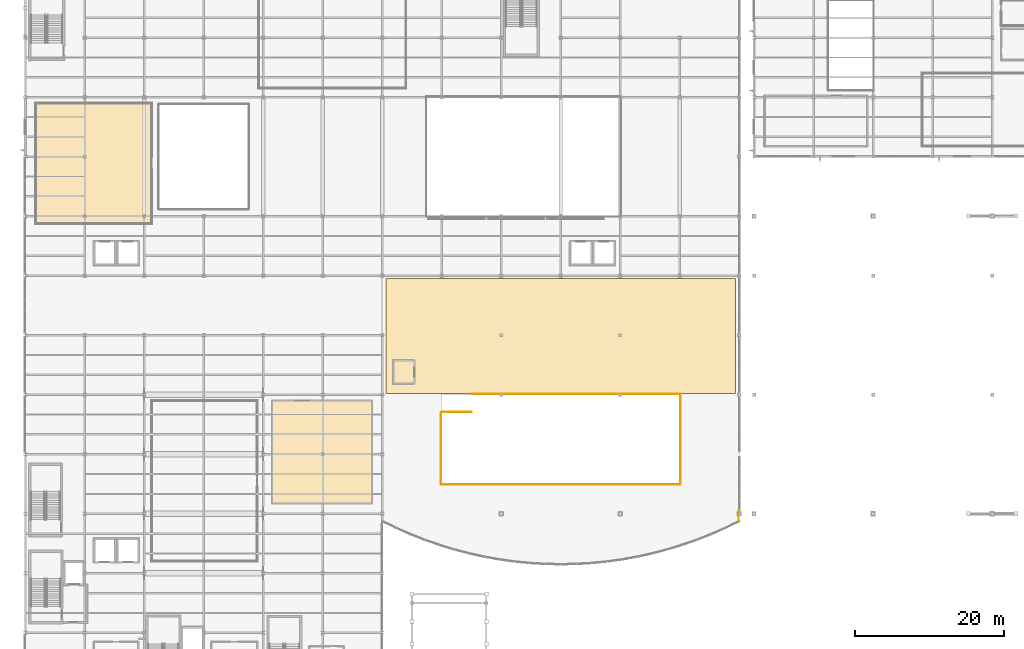
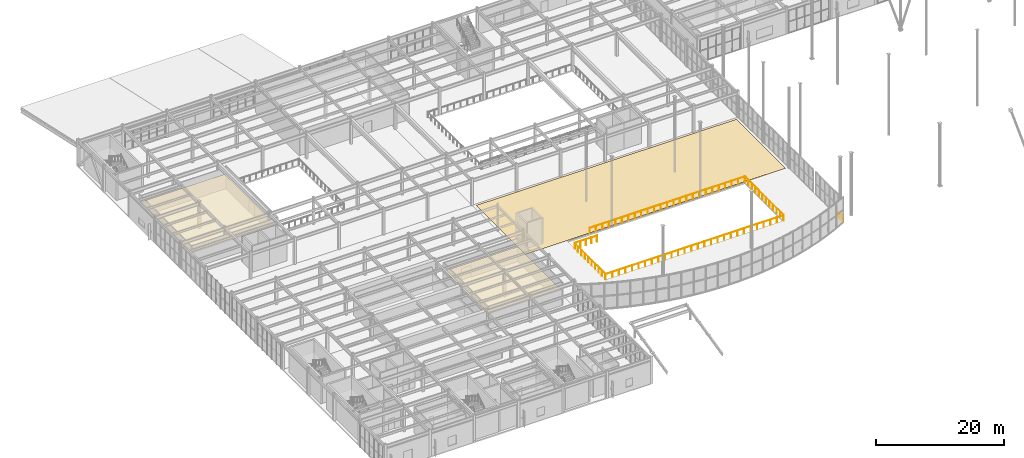
# One storey, part 70 of 77: 6 railings, 3 coverings.
"""IFC4 building model written with IfcOpenShell, lengths in metres."""

from ifc_helpers import new_model, si_unit, direction, frame, origin, origin_2d, place, context, subcontext, project, spatial, polyline, circle, outline, extrude, material, layer, layer_set, type_object, element, save


model = new_model("IFC4")

# Units and contexts
model_context = context("Model", 3, precision=1e-05, world=origin(), true_north=direction((0.0, 1.0)))
body_context = subcontext(model_context, "Body", "Model", "MODEL_VIEW")
ifc_project = project(units=[si_unit("LENGTHUNIT", "METRE"), si_unit("AREAUNIT", "SQUARE_METRE"), si_unit("VOLUMEUNIT", "CUBIC_METRE"), si_unit("PLANEANGLEUNIT", "RADIAN"), si_unit("MASSUNIT", "GRAM", prefix="KILO")], contexts=[model_context])

# Site, building, storey
site_placement = place(None, origin())
site = spatial("IfcSite", under=ifc_project, at=site_placement, CompositionType="ELEMENT")
building_placement = place(site_placement, origin())
building = spatial("IfcBuilding", under=site, at=building_placement, Name="Drelvath Fold Interchange", CompositionType="ELEMENT")
storey_placement = place(building_placement, frame((0.0, 0.0, 6.0)))
storey = spatial("IfcBuildingStorey", under=building, at=storey_placement, Name="L01", CompositionType="ELEMENT", Elevation=6.0)

# Coverings
ifc_material_1 = material(Name="Perforated Aluminium Acoustic Ceiling", Category="aluminium")
ifc_layer_1 = layer(ifc_material_1, 0.01806640625, Name="Perforated Aluminium Acoustic Ceiling")
ifc_layer_set_1 = layer_set([ifc_layer_1], Name="Perforated Aluminium Acoustic Ceiling")
covering_type_1 = type_object("IfcCoveringType", Name="CV-CEIL-AL18", PredefinedType="CEILING", material=ifc_layer_set_1)
covering_1_placement = place(storey_placement, frame((0.0, 0.0, 2.830078125)))
element("IfcCovering", 1, at=covering_1_placement, inside=storey, type_object=covering_type_1, Name="Civic Mobility Briefing Auditorium acoustic ceiling", PredefinedType="CEILING", context=body_context, shape_type="SweptSolid", body=[
    extrude(outline(polyline([(37.27490234375, 28.47509765625), (50.52490234375, 28.47509765625), (50.52490234375, 42.125), (37.27490234375, 42.125), (37.27490234375, 28.47509765625)])), origin(), (0.0, 0.0, 1.0), 0.02001953125),
])
covering_2_placement = place(storey_placement, frame((0.0, 0.0, 2.830078125)))
element("IfcCovering", 2, at=covering_2_placement, inside=storey, type_object=covering_type_1, Name="Passenger Food Court and Canteen acoustic ceiling", PredefinedType="CEILING", context=body_context, shape_type="SweptSolid", body=[
    extrude(outline(polyline([(5.455078125, 66.054931640625), (20.945068359375, 66.054931640625), (20.945068359375, 82.14501953125), (5.455078125, 82.14501953125), (5.455078125, 66.054931640625)])), origin(), (0.0, 0.0, 1.0), 0.02001953125),
])
ifc_material_2 = material(Name="Crimson Terracotta Oxide Resin Flooring", Category="masonry")
ifc_layer_2 = layer(ifc_material_2, 0.01806640625, Name="Crimson Terracotta Oxide Resin Flooring")
ifc_layer_set_2 = layer_set([ifc_layer_2], Name="Crimson Terracotta Oxide Resin Flooring")
covering_type_2 = type_object("IfcCoveringType", Name="CV-CRIMSON", PredefinedType="FLOORING", material=ifc_layer_set_2)
covering_3_placement = place(storey_placement, origin())
element("IfcCovering", 3, at=covering_3_placement, inside=storey, type_object=covering_type_2, Name="Waiting Gallery crimson terracotta resin floor L01", PredefinedType="FLOORING", context=body_context, shape_type="SweptSolid", body=[
    extrude(outline(polyline([(52.5, 43.199951171875), (99.5, 43.199951171875), (99.5, 58.60009765625), (52.5, 58.60009765625), (52.5, 43.199951171875)])), origin(), (0.0, 0.0, 1.0), 0.01806640625),
])

# Railings
ifc_material_3 = material(Name="Stainless Steel 316L", Category="steel")
railing_type_1 = type_object("IfcRailingType", Name="RL-BAL1120", PredefinedType="BALUSTRADE", material=ifc_material_3)
railing_1_placement = place(storey_placement, frame((64.050048828125, 43.080078125, 0.0)))
element("IfcRailing", 4, at=railing_1_placement, inside=storey, type_object=railing_type_1, Name="L01 atrium overlook balustrade 4 (N)", PredefinedType="BALUSTRADE", context=body_context, shape_type="SweptSolid", body=[
    extrude(circle(Radius=0.02392578125, at=origin_2d()), frame((0.0, 0.0, 1.09619140625), z_axis=(1.0, 0.0, 0.0), x_axis=(0.0, 1.0, 0.0)), (0.0, 0.0, 1.0), 28.0),
    extrude(circle(Radius=0.02099609375, at=origin_2d()), origin(), (0.0, 0.0, 1.0), 1.072021484375),
    extrude(circle(Radius=0.02099609375, at=origin_2d()), frame((1.166748046875, 0.0, 0.0)), (0.0, 0.0, 1.0), 1.072021484375),
    extrude(circle(Radius=0.02099609375, at=origin_2d()), frame((2.333251953125, 0.0, 0.0)), (0.0, 0.0, 1.0), 1.072021484375),
    extrude(circle(Radius=0.02099609375, at=origin_2d()), frame((3.5, 0.0, 0.0)), (0.0, 0.0, 1.0), 1.072021484375),
    extrude(circle(Radius=0.02099609375, at=origin_2d()), frame((4.666748046875, 0.0, 0.0)), (0.0, 0.0, 1.0), 1.072021484375),
    extrude(circle(Radius=0.02099609375, at=origin_2d()), frame((5.833251953125, 0.0, 0.0)), (0.0, 0.0, 1.0), 1.072021484375),
    extrude(circle(Radius=0.02099609375, at=origin_2d()), frame((7.0, 0.0, 0.0)), (0.0, 0.0, 1.0), 1.072021484375),
    extrude(circle(Radius=0.02099609375, at=origin_2d()), frame((8.166748046875, 0.0, 0.0)), (0.0, 0.0, 1.0), 1.072021484375),
    extrude(circle(Radius=0.02099609375, at=origin_2d()), frame((9.333251953125, 0.0, 0.0)), (0.0, 0.0, 1.0), 1.072021484375),
    extrude(circle(Radius=0.02099609375, at=origin_2d()), frame((10.5, 0.0, 0.0)), (0.0, 0.0, 1.0), 1.072021484375),
    extrude(circle(Radius=0.02099609375, at=origin_2d()), frame((11.666748046875, 0.0, 0.0)), (0.0, 0.0, 1.0), 1.072021484375),
    extrude(circle(Radius=0.02099609375, at=origin_2d()), frame((12.833251953125, 0.0, 0.0)), (0.0, 0.0, 1.0), 1.072021484375),
    extrude(circle(Radius=0.02099609375, at=origin_2d()), frame((14.0, 0.0, 0.0)), (0.0, 0.0, 1.0), 1.072021484375),
    extrude(circle(Radius=0.02099609375, at=origin_2d()), frame((15.166748046875, 0.0, 0.0)), (0.0, 0.0, 1.0), 1.072021484375),
    extrude(circle(Radius=0.02099609375, at=origin_2d()), frame((16.333251953125, 0.0, 0.0)), (0.0, 0.0, 1.0), 1.072021484375),
    extrude(circle(Radius=0.02099609375, at=origin_2d()), frame((17.5, 0.0, 0.0)), (0.0, 0.0, 1.0), 1.072021484375),
    extrude(circle(Radius=0.02099609375, at=origin_2d()), frame((18.666748046875, 0.0, 0.0)), (0.0, 0.0, 1.0), 1.072021484375),
    extrude(circle(Radius=0.02099609375, at=origin_2d()), frame((19.833251953125, 0.0, 0.0)), (0.0, 0.0, 1.0), 1.072021484375),
    extrude(circle(Radius=0.02099609375, at=origin_2d()), frame((21.0, 0.0, 0.0)), (0.0, 0.0, 1.0), 1.072021484375),
    extrude(circle(Radius=0.02099609375, at=origin_2d()), frame((22.166748046875, 0.0, 0.0)), (0.0, 0.0, 1.0), 1.072021484375),
    extrude(circle(Radius=0.02099609375, at=origin_2d()), frame((23.333251953125, 0.0, 0.0)), (0.0, 0.0, 1.0), 1.072021484375),
    extrude(circle(Radius=0.02099609375, at=origin_2d()), frame((24.5, 0.0, 0.0)), (0.0, 0.0, 1.0), 1.072021484375),
    extrude(circle(Radius=0.02099609375, at=origin_2d()), frame((25.666748046875, 0.0, 0.0)), (0.0, 0.0, 1.0), 1.072021484375),
    extrude(circle(Radius=0.02099609375, at=origin_2d()), frame((26.833251953125, 0.0, 0.0)), (0.0, 0.0, 1.0), 1.072021484375),
    extrude(circle(Radius=0.02099609375, at=origin_2d()), frame((28.0, 0.0, 0.0)), (0.0, 0.0, 1.0), 1.072021484375),
])
railing_2_placement = place(storey_placement, frame((92.080078125, 43.050048828125, 0.0)))
element("IfcRailing", 5, at=railing_2_placement, inside=storey, type_object=railing_type_1, Name="L01 atrium overlook balustrade 4 (E)", PredefinedType="BALUSTRADE", context=body_context, shape_type="SweptSolid", body=[
    extrude(circle(Radius=0.02392578125, at=origin_2d()), frame((0.0, 0.0, 1.09619140625), z_axis=(0.0, -1.0, 0.0), x_axis=(1.0, 0.0, 0.0)), (0.0, 0.0, 1.0), 12.10009765625),
    extrude(circle(Radius=0.02099609375, at=origin_2d()), origin(), (0.0, 0.0, 1.0), 1.072021484375),
    extrude(circle(Radius=0.02099609375, at=origin_2d()), frame((0.0, -1.10009765625, 0.0)), (0.0, 0.0, 1.0), 1.072021484375),
    extrude(circle(Radius=0.02099609375, at=origin_2d()), frame((0.0, -2.199951171875, 0.0)), (0.0, 0.0, 1.0), 1.072021484375),
    extrude(circle(Radius=0.02099609375, at=origin_2d()), frame((0.0, -3.300048828125, 0.0)), (0.0, 0.0, 1.0), 1.072021484375),
    extrude(circle(Radius=0.02099609375, at=origin_2d()), frame((0.0, -4.400146484375, 0.0)), (0.0, 0.0, 1.0), 1.072021484375),
    extrude(circle(Radius=0.02099609375, at=origin_2d()), frame((0.0, -5.5, 0.0)), (0.0, 0.0, 1.0), 1.072021484375),
    extrude(circle(Radius=0.02099609375, at=origin_2d()), frame((0.0, -6.60009765625, 0.0)), (0.0, 0.0, 1.0), 1.072021484375),
    extrude(circle(Radius=0.02099609375, at=origin_2d()), frame((0.0, -7.699951171875, 0.0)), (0.0, 0.0, 1.0), 1.072021484375),
    extrude(circle(Radius=0.02099609375, at=origin_2d()), frame((0.0, -8.800048828125, 0.0)), (0.0, 0.0, 1.0), 1.072021484375),
    extrude(circle(Radius=0.02099609375, at=origin_2d()), frame((0.0, -9.900146484375, 0.0)), (0.0, 0.0, 1.0), 1.072021484375),
    extrude(circle(Radius=0.02099609375, at=origin_2d()), frame((0.0, -11.0, 0.0)), (0.0, 0.0, 1.0), 1.072021484375),
    extrude(circle(Radius=0.02099609375, at=origin_2d()), frame((0.0, -12.10009765625, 0.0)), (0.0, 0.0, 1.0), 1.072021484375),
])
railing_3_placement = place(storey_placement, frame((92.050048828125, 30.919921875, 0.0)))
element("IfcRailing", 6, at=railing_3_placement, inside=storey, type_object=railing_type_1, Name="L01 atrium overlook balustrade 4 (S)", PredefinedType="BALUSTRADE", context=body_context, shape_type="SweptSolid", body=[
    extrude(circle(Radius=0.02392578125, at=origin_2d()), frame((0.0, 0.0, 1.09619140625), z_axis=(-1.0, 0.0, 0.0), x_axis=(0.0, -1.0, 0.0)), (0.0, 0.0, 1.0), 32.10009765625),
    extrude(circle(Radius=0.02099609375, at=origin_2d()), origin(), (0.0, 0.0, 1.0), 1.072021484375),
    extrude(circle(Radius=0.02099609375, at=origin_2d()), frame((-1.18896484375, 0.0, 0.0)), (0.0, 0.0, 1.0), 1.072021484375),
    extrude(circle(Radius=0.02099609375, at=origin_2d()), frame((-2.377685546875, 0.0, 0.0)), (0.0, 0.0, 1.0), 1.072021484375),
    extrude(circle(Radius=0.02099609375, at=origin_2d()), frame((-3.566650390625, 0.0, 0.0)), (0.0, 0.0, 1.0), 1.072021484375),
    extrude(circle(Radius=0.02099609375, at=origin_2d()), frame((-4.755615234375, 0.0, 0.0)), (0.0, 0.0, 1.0), 1.072021484375),
    extrude(circle(Radius=0.02099609375, at=origin_2d()), frame((-5.944580078125, 0.0, 0.0)), (0.0, 0.0, 1.0), 1.072021484375),
    extrude(circle(Radius=0.02099609375, at=origin_2d()), frame((-7.13330078125, 0.0, 0.0)), (0.0, 0.0, 1.0), 1.072021484375),
    extrude(circle(Radius=0.02099609375, at=origin_2d()), frame((-8.322265625, 0.0, 0.0)), (0.0, 0.0, 1.0), 1.072021484375),
    extrude(circle(Radius=0.02099609375, at=origin_2d()), frame((-9.51123046875, 0.0, 0.0)), (0.0, 0.0, 1.0), 1.072021484375),
    extrude(circle(Radius=0.02099609375, at=origin_2d()), frame((-10.699951171875, 0.0, 0.0)), (0.0, 0.0, 1.0), 1.072021484375),
    extrude(circle(Radius=0.02099609375, at=origin_2d()), frame((-11.888916015625, 0.0, 0.0)), (0.0, 0.0, 1.0), 1.072021484375),
    extrude(circle(Radius=0.02099609375, at=origin_2d()), frame((-13.077880859375, 0.0, 0.0)), (0.0, 0.0, 1.0), 1.072021484375),
    extrude(circle(Radius=0.02099609375, at=origin_2d()), frame((-14.2666015625, 0.0, 0.0)), (0.0, 0.0, 1.0), 1.072021484375),
    extrude(circle(Radius=0.02099609375, at=origin_2d()), frame((-15.45556640625, 0.0, 0.0)), (0.0, 0.0, 1.0), 1.072021484375),
    extrude(circle(Radius=0.02099609375, at=origin_2d()), frame((-16.64453125, 0.0, 0.0)), (0.0, 0.0, 1.0), 1.072021484375),
    extrude(circle(Radius=0.02099609375, at=origin_2d()), frame((-17.83349609375, 0.0, 0.0)), (0.0, 0.0, 1.0), 1.072021484375),
    extrude(circle(Radius=0.02099609375, at=origin_2d()), frame((-19.022216796875, 0.0, 0.0)), (0.0, 0.0, 1.0), 1.072021484375),
    extrude(circle(Radius=0.02099609375, at=origin_2d()), frame((-20.211181640625, 0.0, 0.0)), (0.0, 0.0, 1.0), 1.072021484375),
    extrude(circle(Radius=0.02099609375, at=origin_2d()), frame((-21.400146484375, 0.0, 0.0)), (0.0, 0.0, 1.0), 1.072021484375),
    extrude(circle(Radius=0.02099609375, at=origin_2d()), frame((-22.5888671875, 0.0, 0.0)), (0.0, 0.0, 1.0), 1.072021484375),
    extrude(circle(Radius=0.02099609375, at=origin_2d()), frame((-23.77783203125, 0.0, 0.0)), (0.0, 0.0, 1.0), 1.072021484375),
    extrude(circle(Radius=0.02099609375, at=origin_2d()), frame((-24.966796875, 0.0, 0.0)), (0.0, 0.0, 1.0), 1.072021484375),
    extrude(circle(Radius=0.02099609375, at=origin_2d()), frame((-26.155517578125, 0.0, 0.0)), (0.0, 0.0, 1.0), 1.072021484375),
    extrude(circle(Radius=0.02099609375, at=origin_2d()), frame((-27.344482421875, 0.0, 0.0)), (0.0, 0.0, 1.0), 1.072021484375),
    extrude(circle(Radius=0.02099609375, at=origin_2d()), frame((-28.533447265625, 0.0, 0.0)), (0.0, 0.0, 1.0), 1.072021484375),
    extrude(circle(Radius=0.02099609375, at=origin_2d()), frame((-29.722412109375, 0.0, 0.0)), (0.0, 0.0, 1.0), 1.072021484375),
    extrude(circle(Radius=0.02099609375, at=origin_2d()), frame((-30.9111328125, 0.0, 0.0)), (0.0, 0.0, 1.0), 1.072021484375),
    extrude(circle(Radius=0.02099609375, at=origin_2d()), frame((-32.10009765625, 0.0, 0.0)), (0.0, 0.0, 1.0), 1.072021484375),
])
railing_4_placement = place(storey_placement, frame((59.919921875, 30.949951171875, 0.0)))
element("IfcRailing", 7, at=railing_4_placement, inside=storey, type_object=railing_type_1, Name="L01 atrium overlook balustrade 4 (W)", PredefinedType="BALUSTRADE", context=body_context, shape_type="SweptSolid", body=[
    extrude(circle(Radius=0.02392578125, at=origin_2d()), frame((0.0, 0.0, 1.09619140625), z_axis=(0.0, 1.0, 0.0), x_axis=(-1.0, 0.0, 0.0)), (0.0, 0.0, 1.0), 9.650146484375),
    extrude(circle(Radius=0.02099609375, at=origin_2d()), origin(), (0.0, 0.0, 1.0), 1.072021484375),
    extrude(circle(Radius=0.02099609375, at=origin_2d()), frame((0.0, 1.072265625, 0.0)), (0.0, 0.0, 1.0), 1.072021484375),
    extrude(circle(Radius=0.02099609375, at=origin_2d()), frame((0.0, 2.14453125, 0.0)), (0.0, 0.0, 1.0), 1.072021484375),
    extrude(circle(Radius=0.02099609375, at=origin_2d()), frame((0.0, 3.216796875, 0.0)), (0.0, 0.0, 1.0), 1.072021484375),
    extrude(circle(Radius=0.02099609375, at=origin_2d()), frame((0.0, 4.2890625, 0.0)), (0.0, 0.0, 1.0), 1.072021484375),
    extrude(circle(Radius=0.02099609375, at=origin_2d()), frame((0.0, 5.361083984375, 0.0)), (0.0, 0.0, 1.0), 1.072021484375),
    extrude(circle(Radius=0.02099609375, at=origin_2d()), frame((0.0, 6.433349609375, 0.0)), (0.0, 0.0, 1.0), 1.072021484375),
    extrude(circle(Radius=0.02099609375, at=origin_2d()), frame((0.0, 7.505615234375, 0.0)), (0.0, 0.0, 1.0), 1.072021484375),
    extrude(circle(Radius=0.02099609375, at=origin_2d()), frame((0.0, 8.577880859375, 0.0)), (0.0, 0.0, 1.0), 1.072021484375),
    extrude(circle(Radius=0.02099609375, at=origin_2d()), frame((0.0, 9.650146484375, 0.0)), (0.0, 0.0, 1.0), 1.072021484375),
])
railing_5_placement = place(storey_placement, frame((99.919921875, 26.0, 0.0)))
element("IfcRailing", 8, at=railing_5_placement, inside=storey, type_object=railing_type_1, Name="L01 slab edge balustrade RL-EDG-L01-SE", PredefinedType="BALUSTRADE", context=body_context, shape_type="SweptSolid", body=[
    extrude(circle(Radius=0.02392578125, at=origin_2d()), frame((0.0, 0.0, 1.09619140625), z_axis=(0.0, 1.0, 0.0), x_axis=(-1.0, 0.0, 0.0)), (0.0, 0.0, 1.0), 1.449951171875),
    extrude(circle(Radius=0.02099609375, at=origin_2d()), origin(), (0.0, 0.0, 1.0), 1.072021484375),
    extrude(circle(Radius=0.02099609375, at=origin_2d()), frame((0.0, 0.72509765625, 0.0)), (0.0, 0.0, 1.0), 1.072021484375),
    extrude(circle(Radius=0.02099609375, at=origin_2d()), frame((0.0, 1.449951171875, 0.0)), (0.0, 0.0, 1.0), 1.072021484375),
])
railing_type_2 = type_object("IfcRailingType", Name="RL-GRD1150", PredefinedType="GUARDRAIL", material=ifc_material_3)
railing_6_placement = place(storey_placement, frame((60.0, 40.659912109375, 0.0)))
element("IfcRailing", 9, at=railing_6_placement, inside=storey, type_object=railing_type_2, Name="Promenade ramp top landing south guard", PredefinedType="GUARDRAIL", context=body_context, shape_type="SweptSolid", body=[
    extrude(circle(Radius=0.02392578125, at=origin_2d()), frame((0.0, 0.0, 1.1259765625), z_axis=(1.0, 0.0, 0.0), x_axis=(0.0, 1.0, 0.0)), (0.0, 0.0, 1.0), 4.0),
    extrude(circle(Radius=0.02099609375, at=origin_2d()), origin(), (0.0, 0.0, 1.0), 1.101806640625),
    extrude(circle(Radius=0.02099609375, at=origin_2d()), frame((1.0, 0.0, 0.0)), (0.0, 0.0, 1.0), 1.101806640625),
    extrude(circle(Radius=0.02099609375, at=origin_2d()), frame((2.0, 0.0, 0.0)), (0.0, 0.0, 1.0), 1.101806640625),
    extrude(circle(Radius=0.02099609375, at=origin_2d()), frame((3.0, 0.0, 0.0)), (0.0, 0.0, 1.0), 1.101806640625),
    extrude(circle(Radius=0.02099609375, at=origin_2d()), frame((4.0, 0.0, 0.0)), (0.0, 0.0, 1.0), 1.101806640625),
])

save(model, "model.ifc")
